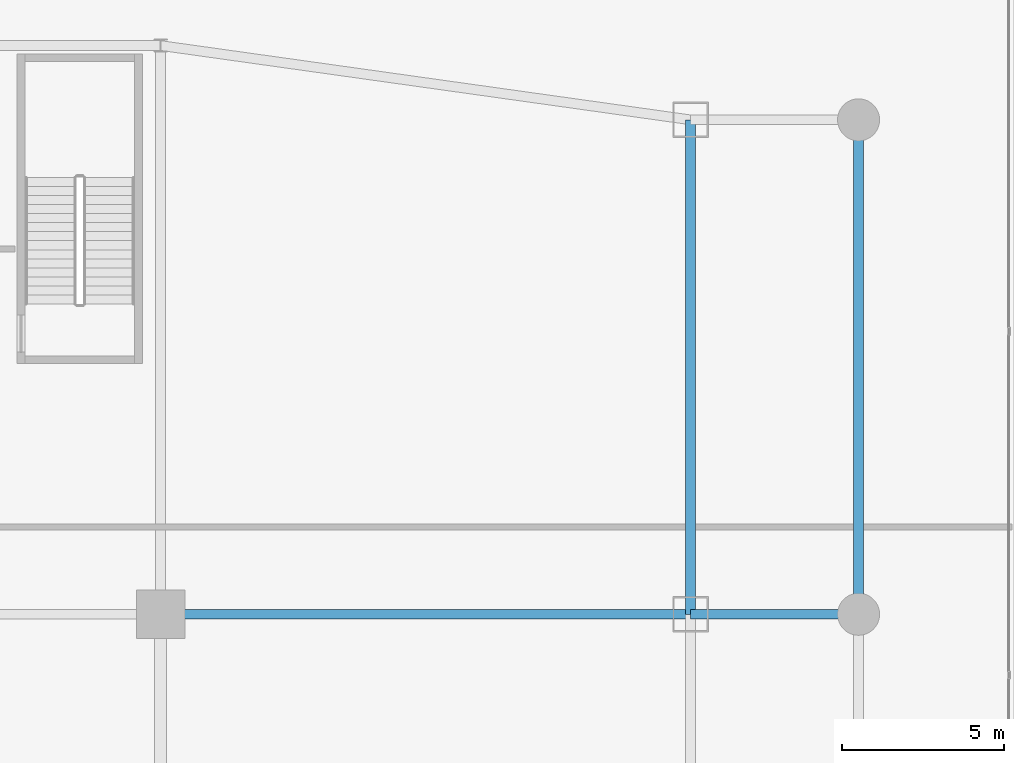
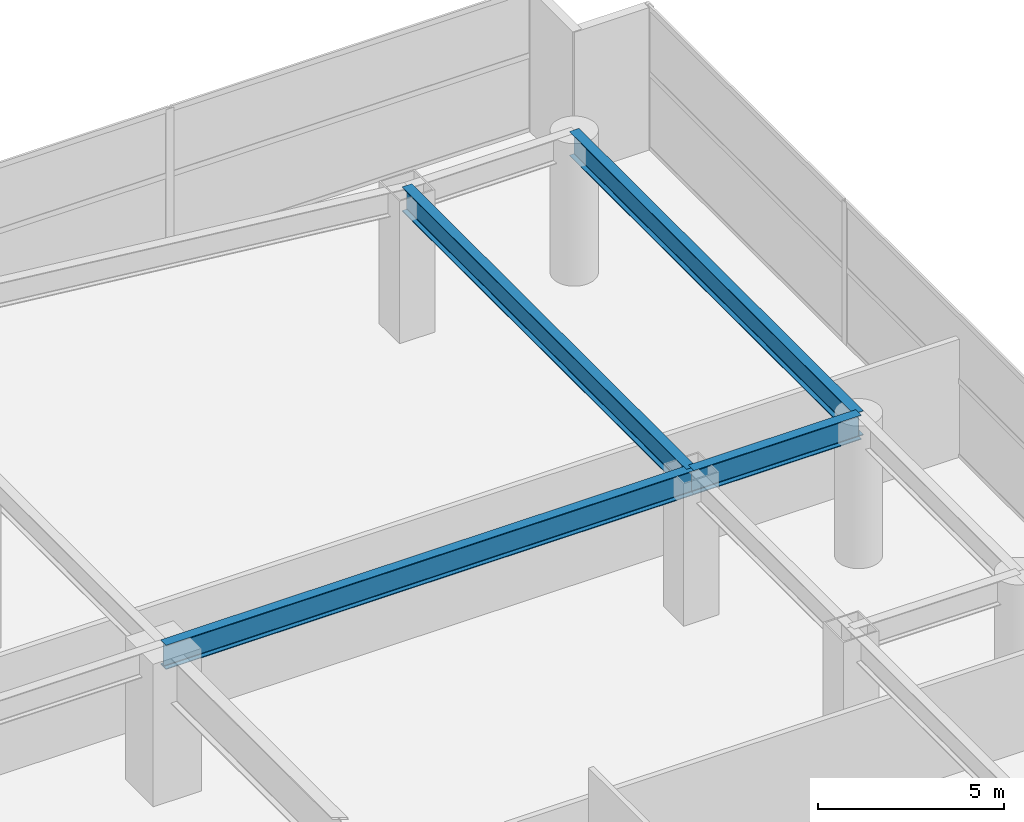
# One storey, part 25 of 35: 4 beams.
"""IFC4 building model written with IfcOpenShell, lengths in metres."""

import ifcopenshell
import ifcopenshell.guid

model = None  # the IFC model being written
_history = None  # IfcOwnerHistory: only IFC2X3 demands one
_inside = {}  # id of a spatial element -> (the spatial element, [elements in it])
_under = {}  # id of a project, library or spatial element -> (it, [spatial elements below it])
_declared = {}  # id of a project -> (the project, [libraries it declares])
_typed = {}  # id of a type object -> (the type object, [elements of that type])
_made_of = {}  # id of a material, layer set ... -> (it, [elements and type objects made of it])


def new_model(schema):
    """Start an empty IFC model of exactly this schema.

    Asked for "IFC4X3", IfcOpenShell would pick the latest addendum, in which some entities
    have other attributes; the version numbers below select the first issue.
    IFC2X3 requires an IfcOwnerHistory on every rooted entity: one is made here for all.
    """
    global model, _history
    if schema == "IFC4X3":
        model = ifcopenshell.file(schema_version=(4, 3, 0, 0))
    else:
        model = ifcopenshell.file(schema=schema)
    _inside.clear()
    _under.clear()
    _declared.clear()
    _typed.clear()
    _made_of.clear()
    _history = None
    if model.schema == "IFC2X3":
        org = make("IfcOrganization", Name="unknown")
        user = make(
            "IfcPersonAndOrganization",
            ThePerson=make("IfcPerson", FamilyName="unknown"),
            TheOrganization=org,
        )
        app = make(
            "IfcApplication",
            ApplicationDeveloper=org,
            Version="unknown",
            ApplicationFullName="unknown",
            ApplicationIdentifier="unknown",
        )
        _history = make(
            "IfcOwnerHistory",
            OwningUser=user,
            OwningApplication=app,
            ChangeAction="ADDED",
            CreationDate=0,
        )
    return model


def make(cls, **values):
    """One entity of the class cls with the attributes given. An attribute that is None is left unset."""
    return model.create_entity(
        cls, **{name: value for name, value in values.items() if value is not None}
    )


def rooted(cls, **values):
    """An entity with a GlobalId (a new one), such as an element, a storey or a relation."""
    return make(cls, GlobalId=ifcopenshell.guid.new(), OwnerHistory=_history, **values)


def si_unit(unit_type, name, prefix=None):
    """IfcSIUnit, for example si_unit("LENGTHUNIT", "METRE", prefix="MILLI")."""
    return make("IfcSIUnit", UnitType=unit_type, Prefix=prefix, Name=name)


def assignment(units):
    """IfcUnitAssignment: the units of a project."""
    return None if units is None else make("IfcUnitAssignment", Units=units)


def point(xyz):
    """IfcCartesianPoint."""
    return None if xyz is None else make("IfcCartesianPoint", Coordinates=xyz)


def direction(xyz):
    """IfcDirection."""
    return None if xyz is None else make("IfcDirection", DirectionRatios=xyz)


def frame(location, z_axis=None, x_axis=None):
    """IfcAxis2Placement3D, a coordinate frame: its origin and axes. An axis left out is left unset."""
    return make(
        "IfcAxis2Placement3D",
        Location=point(location),
        Axis=direction(z_axis),
        RefDirection=direction(x_axis),
    )


def frame_2d(location, x_axis=None):
    """IfcAxis2Placement2D, a coordinate frame in the plane: its origin and x axis."""
    return make(
        "IfcAxis2Placement2D", Location=point(location), RefDirection=direction(x_axis)
    )


def origin():
    """The frame at (0, 0, 0) with its axes left unset."""
    return frame((0.0, 0.0, 0.0))


def origin_2d():
    """The frame at (0, 0) in the plane with its x axis left unset."""
    return frame_2d((0.0, 0.0))


def place(relative_to, where):
    """IfcLocalPlacement: puts the frame where relative to a parent placement (None: the world)."""
    return make(
        "IfcLocalPlacement", PlacementRelTo=relative_to, RelativePlacement=where
    )


def context(
    kind, dimensions, precision=None, world=None, true_north=None, identifier=None
):
    """IfcGeometricRepresentationContext, for example the 3D "Model" context."""
    return make(
        "IfcGeometricRepresentationContext",
        ContextIdentifier=identifier,
        ContextType=kind,
        CoordinateSpaceDimension=dimensions,
        Precision=precision,
        WorldCoordinateSystem=world,
        TrueNorth=true_north,
    )


def subcontext(parent, identifier, kind, view, scale=None):
    """IfcGeometricRepresentationSubContext, for example "Body" below "Model"."""
    return make(
        "IfcGeometricRepresentationSubContext",
        ContextIdentifier=identifier,
        ContextType=kind,
        ParentContext=parent,
        TargetScale=scale,
        TargetView=view,
    )


def project(units=None, contexts=None):
    """IfcProject with its units and contexts."""
    return rooted(
        "IfcProject",
        Name="project",
        RepresentationContexts=contexts,
        UnitsInContext=assignment(units),
    )


def spatial(cls, under=None, at=None, **own):
    """A site, building, storey or space (cls), placed at a placement, below another one or the project."""
    s = rooted(cls, ObjectPlacement=at, **own)
    if under is not None:
        _under.setdefault(under.id(), (under, []))[1].append(s)
    return s


def profile(cls, at=None, kind="AREA", **sizes):
    """A parametric profile (cls). Its sizes go by their IFC names, for example OverallWidth=200.0."""
    return make(cls, ProfileType=kind, Position=at, **sizes)


def i_section(**sizes):
    """IfcIShapeProfileDef."""
    return profile("IfcIShapeProfileDef", **sizes)


def extrude(swept, where, along, depth):
    """IfcExtrudedAreaSolid: the profile swept, set in the frame where, extruded along a direction by depth."""
    return make(
        "IfcExtrudedAreaSolid",
        SweptArea=swept,
        Position=where,
        ExtrudedDirection=direction(along),
        Depth=depth,
    )


def shape(context_of_items, identifier, shape_type, items):
    """IfcShapeRepresentation: the items that make up one representation, for example the "Body"."""
    return make(
        "IfcShapeRepresentation",
        ContextOfItems=context_of_items,
        RepresentationIdentifier=identifier,
        RepresentationType=shape_type,
        Items=items,
    )


def material(Name=None, Category=None):
    """IfcMaterial."""
    return make("IfcMaterial", Name=Name, Category=Category)


def material_profile(
    of_material, cross_section, Name=None, Category=None, Priority=None
):
    """IfcMaterialProfile: a cross section and its material."""
    return make(
        "IfcMaterialProfile",
        Name=Name,
        Material=of_material,
        Profile=cross_section,
        Priority=Priority,
        Category=Category,
    )


def profile_set(profiles, Name=None, composite=None):
    """IfcMaterialProfileSet."""
    return make(
        "IfcMaterialProfileSet",
        Name=Name,
        MaterialProfiles=profiles,
        CompositeProfile=composite,
    )


def made_of(thing, what):
    """Note that an element or type object is made of a material, layer set ...; save() writes the relation."""
    if what is not None:
        _made_of.setdefault(what.id(), (what, []))[1].append(thing)
    return thing


def type_object(cls, material=None, **own):
    """A type object (cls), such as IfcWallType, which elements share."""
    return made_of(rooted(cls, **own), material)


def element(
    cls,
    number,
    at=None,
    inside=None,
    cuts=None,
    type_object=None,
    material=None,
    context=None,
    identifier="Body",
    shape_type=None,
    held_by="IfcProductDefinitionShape",
    body=None,
    shapes=None,
    **own,
):
    """One element of the class cls, such as IfcWall. Its Tag is "e" and its number.

    at: its placement. inside: the storey or other place that contains it. cuts: it is an
    opening in that element (IfcRelVoidsElement). A single representation is given by context,
    identifier, shape_type and body (its items); several are given by shapes. held_by: the class
    of the entity that holds the representations. save() writes the other relations.
    """
    e = rooted(cls, Tag="e%d" % number, ObjectPlacement=at, **own)
    if body is not None:
        shapes = [shape(context, identifier, shape_type, body)]
    if shapes is not None:
        e.Representation = make(held_by, Representations=shapes)
    if inside is not None:
        _inside.setdefault(inside.id(), (inside, []))[1].append(e)
    if cuts is not None:
        rooted(
            "IfcRelVoidsElement", RelatingBuildingElement=cuts, RelatedOpeningElement=e
        )
    if type_object is not None:
        _typed.setdefault(type_object.id(), (type_object, []))[1].append(e)
    return made_of(e, material)


def aggregate(whole, parts):
    """IfcRelAggregates: a whole, such as a stair, and the parts it consists of."""
    return rooted("IfcRelAggregates", RelatingObject=whole, RelatedObjects=parts)


def save(model, path):
    """Write the relations noted so far, then the file.

    IfcRelAggregates (storeys below a building ...), IfcRelContainedInSpatialStructure (elements
    in a storey), IfcRelDefinesByType, IfcRelAssociatesMaterial and IfcRelDeclares: one each for
    every whole, place, type object, material and project.
    """
    for whole, parts in _under.values():
        aggregate(whole, parts)
    for where, things in _inside.values():
        rooted(
            "IfcRelContainedInSpatialStructure",
            RelatedElements=things,
            RelatingStructure=where,
        )
    for kind, things in _typed.values():
        rooted("IfcRelDefinesByType", RelatedObjects=things, RelatingType=kind)
    for what, things in _made_of.values():
        rooted("IfcRelAssociatesMaterial", RelatedObjects=things, RelatingMaterial=what)
    for by, libraries in _declared.values():
        rooted("IfcRelDeclares", RelatingContext=by, RelatedDefinitions=libraries)
    model.write(path)


model = new_model("IFC4")

# Units and contexts
model_context = context("Model", 3, precision=1e-05, world=origin(), true_north=direction((0.0, 1.0)))
body_context = subcontext(model_context, "Body", "Model", "MODEL_VIEW")
ifc_project = project(units=[si_unit("LENGTHUNIT", "METRE"), si_unit("AREAUNIT", "SQUARE_METRE"), si_unit("VOLUMEUNIT", "CUBIC_METRE"), si_unit("PLANEANGLEUNIT", "RADIAN"), si_unit("MASSUNIT", "GRAM", prefix="KILO")], contexts=[model_context])

# Site, building, storey
site_placement = place(None, origin())
site = spatial("IfcSite", under=ifc_project, at=site_placement, CompositionType="ELEMENT")
building_placement = place(site_placement, origin())
building = spatial("IfcBuilding", under=site, at=building_placement, Name="Calvorn Quay Hotel", CompositionType="ELEMENT")
storey_placement = place(building_placement, frame((0.0, 0.0, 12.0)))
storey = spatial("IfcBuildingStorey", under=building, at=storey_placement, Name="L02", CompositionType="ELEMENT", Elevation=12.0)

# Beams
ifc_material = material(Name="Steel Q390GJC", Category="steel")
ifc_material_profile = material_profile(ifc_material, i_section(OverallWidth=0.300048828125, OverallDepth=0.800048828125, WebThickness=0.013916015625, FlangeThickness=0.02587890625, FilletRadius=0.02392578125, at=origin_2d()), Name="HN800x300x14x26")
ifc_profile_set = profile_set([ifc_material_profile], Name="Steel Q390GJC")
beam_type = type_object("IfcBeamType", Name="BM-GIRD-POD", PredefinedType="BEAM", material=ifc_profile_set)
beam_1_placement = place(storey_placement, frame((74.0, 36.199951171875, 4.280029296875), z_axis=(0.0, 1.0, 0.0), x_axis=(-1.0, 0.0, 0.0)))
element("IfcBeam", 1, at=beam_1_placement, inside=storey, type_object=beam_type, Name="Beam BG-L02-PE4", PredefinedType="BEAM", context=body_context, shape_type="SweptSolid", body=[
    extrude(i_section(OverallWidth=0.300048828125, OverallDepth=0.800048828125, WebThickness=0.013916015625, FlangeThickness=0.02587890625, FilletRadius=0.02392578125, at=origin_2d()), origin(), (0.0, 0.0, 1.0), 15.300048828125),
])
beam_2_placement = place(storey_placement, frame((57.60009765625, 36.199951171875, 4.280029296875), z_axis=(1.0, 0.0, 0.0), x_axis=(0.0, 1.0, 0.0)))
element("IfcBeam", 2, at=beam_2_placement, inside=storey, type_object=beam_type, Name="Beam BG-L02-PN3", PredefinedType="BEAM", context=body_context, shape_type="SweptSolid", body=[
    extrude(i_section(OverallWidth=0.300048828125, OverallDepth=0.800048828125, WebThickness=0.013916015625, FlangeThickness=0.02587890625, FilletRadius=0.02392578125, at=origin_2d()), origin(), (0.0, 0.0, 1.0), 16.39990234375),
])
beam_3_placement = place(storey_placement, frame((79.199951171875, 36.199951171875, 4.280029296875), z_axis=(0.0, 1.0, 0.0), x_axis=(-1.0, 0.0, 0.0)))
element("IfcBeam", 3, at=beam_3_placement, inside=storey, type_object=beam_type, Name="Beam BSP-L02-Q4", PredefinedType="BEAM", context=body_context, shape_type="SweptSolid", body=[
    extrude(i_section(OverallWidth=0.300048828125, OverallDepth=0.800048828125, WebThickness=0.013916015625, FlangeThickness=0.02587890625, FilletRadius=0.02392578125, at=origin_2d()), origin(), (0.0, 0.0, 1.0), 15.300048828125),
])
beam_4_placement = place(storey_placement, frame((74.0, 36.199951171875, 4.280029296875), z_axis=(1.0, 0.0, 0.0), x_axis=(0.0, 1.0, 0.0)))
element("IfcBeam", 4, at=beam_4_placement, inside=storey, type_object=beam_type, Name="Beam BG-L02-EQ4", PredefinedType="BEAM", context=body_context, shape_type="SweptSolid", body=[
    extrude(i_section(OverallWidth=0.300048828125, OverallDepth=0.800048828125, WebThickness=0.013916015625, FlangeThickness=0.02587890625, FilletRadius=0.02392578125, at=origin_2d()), origin(), (0.0, 0.0, 1.0), 5.199951171875),
])

save(model, "model.ifc")
